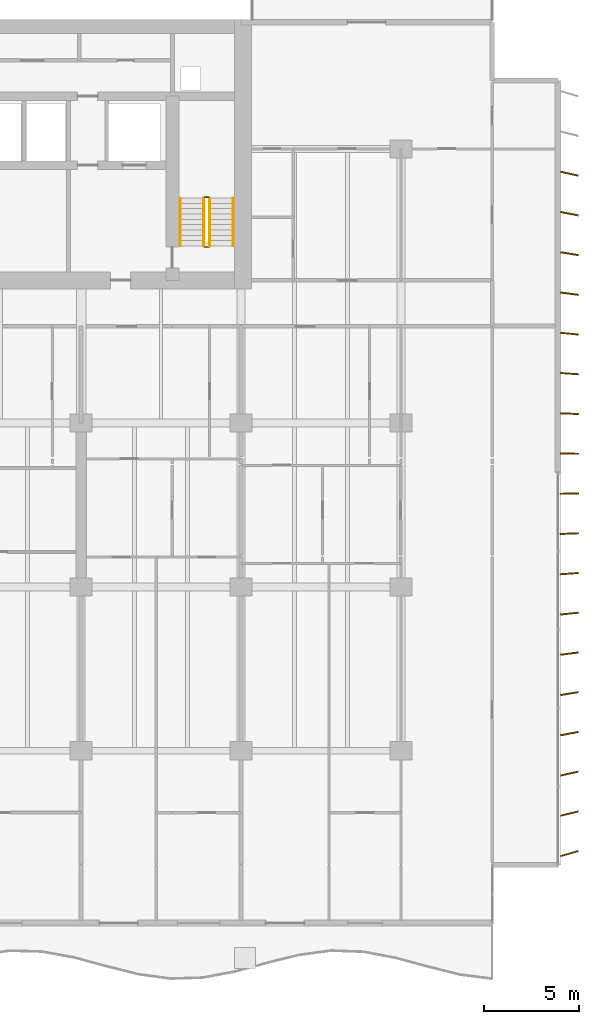
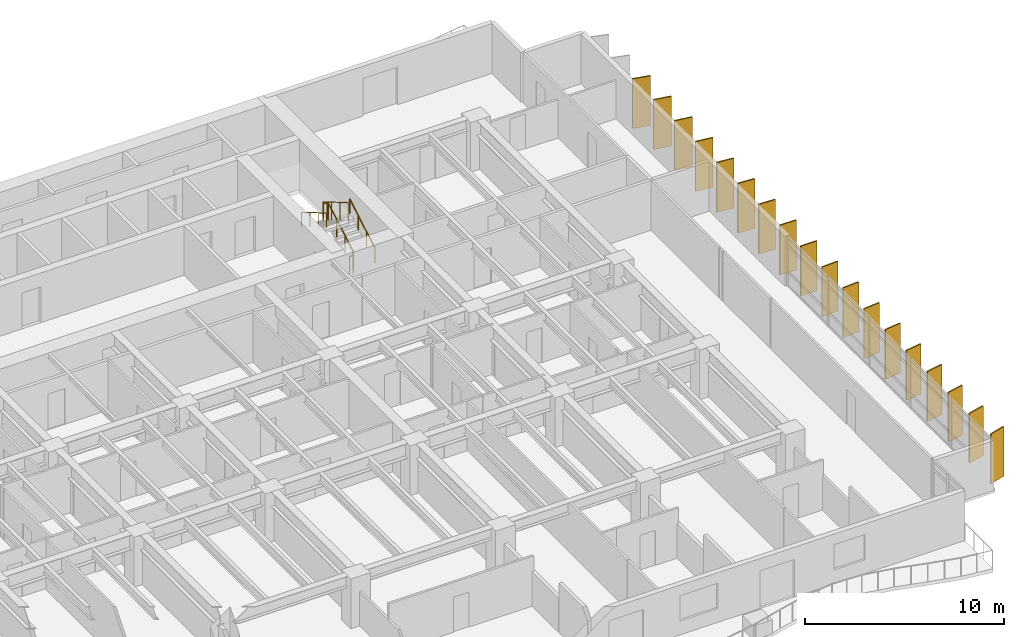
# One storey, part 17 of 18: 18 shading devices, 6 railings.
"""IFC4 building model written with IfcOpenShell, lengths in metres."""

from ifc_helpers import new_model, si_unit, direction, frame, origin, origin_2d, place, context, subcontext, project, spatial, rectangle, circle, extrude, material, material_profile, profile_set, type_object, element, save


model = new_model("IFC4")

# Units and contexts
model_context = context("Model", 3, precision=1e-05, world=origin(), true_north=direction((0.0, 1.0)))
body_context = subcontext(model_context, "Body", "Model", "MODEL_VIEW")
ifc_project = project(units=[si_unit("LENGTHUNIT", "METRE"), si_unit("AREAUNIT", "SQUARE_METRE"), si_unit("VOLUMEUNIT", "CUBIC_METRE"), si_unit("PLANEANGLEUNIT", "RADIAN"), si_unit("MASSUNIT", "GRAM", prefix="KILO")], contexts=[model_context])

# Site, building, storey
site_placement = place(None, origin())
site = spatial("IfcSite", under=ifc_project, at=site_placement, CompositionType="ELEMENT")
building_placement = place(site_placement, origin())
building = spatial("IfcBuilding", under=site, at=building_placement, Name="Caelmar Bay Residences", CompositionType="ELEMENT")
storey_placement = place(building_placement, frame((0.0, 0.0, 36.60009765625)))
storey = spatial("IfcBuildingStorey", under=building, at=storey_placement, Name="L08", CompositionType="ELEMENT", Elevation=36.60009765625)

# Railings
ifc_material_1 = material(Name="Painted galvanized steel stair guard 1100 mm", Category="steel")
railing_type_1 = type_object("IfcRailingType", Name="RL-GRD-1100", PredefinedType="GUARDRAIL", material=ifc_material_1)
railing_1_placement = place(storey_placement, frame((57.85009765625, 38.699951171875, 0.164794921875)))
element("IfcRailing", 1, at=railing_1_placement, inside=storey, type_object=railing_type_1, Name="L08 ST2 stair guard 1", PredefinedType="GUARDRAIL", context=body_context, shape_type="SweptSolid", body=[
    extrude(circle(Radius=0.02392578125, at=origin_2d()), frame((0.0, 0.0, 1.076171875), z_axis=(0.0, 0.86152411907, 0.507716645641), x_axis=(-1.0, 0.0, 0.0)), (0.0, 0.0, 1.0), 2.925048828125),
    extrude(circle(Radius=0.02099609375, at=origin_2d()), origin(), (0.0, 0.0, 1.0), 1.052001953125),
    extrude(circle(Radius=0.02099609375, at=origin_2d()), frame((0.0, 0.840087890625, 0.4951171875)), (0.0, 0.0, 1.0), 1.052001953125),
    extrude(circle(Radius=0.02099609375, at=origin_2d()), frame((0.0, 1.679931640625, 0.989990234375)), (0.0, 0.0, 1.0), 1.052001953125),
    extrude(circle(Radius=0.02099609375, at=origin_2d()), frame((0.0, 2.52001953125, 1.485107421875)), (0.0, 0.0, 1.0), 1.052001953125),
])
railing_2_placement = place(storey_placement, frame((57.800048828125, 41.27001953125, 1.64990234375)))
element("IfcRailing", 2, at=railing_2_placement, inside=storey, type_object=railing_type_1, Name="L08 ST2 stair guard 2", PredefinedType="GUARDRAIL", context=body_context, shape_type="SweptSolid", body=[
    extrude(circle(Radius=0.02392578125, at=origin_2d()), frame((0.0, 0.0, 1.076171875), z_axis=(-1.0, 0.0, 0.0), x_axis=(0.0, -1.0, 0.0)), (0.0, 0.0, 1.0), 0.199951171875),
    extrude(circle(Radius=0.02099609375, at=origin_2d()), origin(), (0.0, 0.0, 1.0), 1.052001953125),
    extrude(circle(Radius=0.02099609375, at=origin_2d()), frame((-0.199951171875, 0.0, 0.0)), (0.0, 0.0, 1.0), 1.052001953125),
])
railing_3_placement = place(storey_placement, frame((57.550048828125, 41.219970703125, 1.81494140625)))
element("IfcRailing", 3, at=railing_3_placement, inside=storey, type_object=railing_type_1, Name="L08 ST2 stair guard 3", PredefinedType="GUARDRAIL", context=body_context, shape_type="SweptSolid", body=[
    extrude(circle(Radius=0.02392578125, at=origin_2d()), frame((0.0, 0.0, 1.076171875), z_axis=(0.0, -0.861560626758, 0.507654692109), x_axis=(1.0, 0.0, 0.0)), (0.0, 0.0, 1.0), 2.925048828125),
    extrude(circle(Radius=0.02099609375, at=origin_2d()), origin(), (0.0, 0.0, 1.0), 1.052001953125),
    extrude(circle(Radius=0.02099609375, at=origin_2d()), frame((0.0, -0.840087890625, 0.494873046875)), (0.0, 0.0, 1.0), 1.052001953125),
    extrude(circle(Radius=0.02099609375, at=origin_2d()), frame((0.0, -1.679931640625, 0.989990234375)), (0.0, 0.0, 1.0), 1.052001953125),
    extrude(circle(Radius=0.02099609375, at=origin_2d()), frame((0.0, -2.52001953125, 1.48486328125)), (0.0, 0.0, 1.0), 1.052001953125),
])
railing_4_placement = place(storey_placement, frame((57.800048828125, 38.64990234375, 0.0)))
element("IfcRailing", 4, at=railing_4_placement, inside=storey, type_object=railing_type_1, Name="L08 ST2 stair guard 4", PredefinedType="GUARDRAIL", context=body_context, shape_type="SweptSolid", body=[
    extrude(circle(Radius=0.02392578125, at=origin_2d()), frame((0.0, 0.0, 1.076171875), z_axis=(-1.0, 0.0, 0.0), x_axis=(0.0, -1.0, 0.0)), (0.0, 0.0, 1.0), 0.199951171875),
    extrude(circle(Radius=0.02099609375, at=origin_2d()), origin(), (0.0, 0.0, 1.0), 1.052001953125),
    extrude(circle(Radius=0.02099609375, at=origin_2d()), frame((-0.199951171875, 0.0, 0.0)), (0.0, 0.0, 1.0), 1.052001953125),
])
ifc_material_2 = material(Name="Brushed bronze stainless-steel tubular handrail 900 mm", Category="steel")
railing_type_2 = type_object("IfcRailingType", Name="RL-HND-900", PredefinedType="HANDRAIL", material=ifc_material_2)
railing_5_placement = place(storey_placement, frame((59.10009765625, 38.699951171875, 0.164794921875)))
element("IfcRailing", 5, at=railing_5_placement, inside=storey, type_object=railing_type_2, Name="L08 ST2 stair handrail 1", PredefinedType="HANDRAIL", context=body_context, shape_type="SweptSolid", body=[
    extrude(circle(Radius=0.02392578125, at=origin_2d()), frame((0.0, 0.0, 0.8759765625), z_axis=(0.0, 0.86152411907, 0.507716645641), x_axis=(-1.0, 0.0, 0.0)), (0.0, 0.0, 1.0), 2.925048828125),
    extrude(circle(Radius=0.02099609375, at=origin_2d()), origin(), (0.0, 0.0, 1.0), 0.851806640625),
    extrude(circle(Radius=0.02099609375, at=origin_2d()), frame((0.0, 0.840087890625, 0.4951171875)), (0.0, 0.0, 1.0), 0.851806640625),
    extrude(circle(Radius=0.02099609375, at=origin_2d()), frame((0.0, 1.679931640625, 0.989990234375)), (0.0, 0.0, 1.0), 0.851806640625),
    extrude(circle(Radius=0.02099609375, at=origin_2d()), frame((0.0, 2.52001953125, 1.485107421875)), (0.0, 0.0, 1.0), 0.851806640625),
])
railing_6_placement = place(storey_placement, frame((56.300048828125, 41.219970703125, 1.81494140625)))
element("IfcRailing", 6, at=railing_6_placement, inside=storey, type_object=railing_type_2, Name="L08 ST2 stair handrail 2", PredefinedType="HANDRAIL", context=body_context, shape_type="SweptSolid", body=[
    extrude(circle(Radius=0.02392578125, at=origin_2d()), frame((0.0, 0.0, 0.8759765625), z_axis=(0.0, -0.861560626758, 0.507654692109), x_axis=(1.0, 0.0, 0.0)), (0.0, 0.0, 1.0), 2.925048828125),
    extrude(circle(Radius=0.02099609375, at=origin_2d()), origin(), (0.0, 0.0, 1.0), 0.851806640625),
    extrude(circle(Radius=0.02099609375, at=origin_2d()), frame((0.0, -0.840087890625, 0.494873046875)), (0.0, 0.0, 1.0), 0.851806640625),
    extrude(circle(Radius=0.02099609375, at=origin_2d()), frame((0.0, -1.679931640625, 0.989990234375)), (0.0, 0.0, 1.0), 0.851806640625),
    extrude(circle(Radius=0.02099609375, at=origin_2d()), frame((0.0, -2.52001953125, 1.48486328125)), (0.0, 0.0, 1.0), 0.851806640625),
])

# Shading devices
ifc_material_3 = material(Name="Anodised architectural bronze aluminium 6063-T6", Category="aluminium")
ifc_material_profile = material_profile(ifc_material_3, rectangle(XDim=0.074951171875, YDim=0.949951171875, at=origin_2d()), Name="BRONZE-FIN-75X950")
ifc_profile_set = profile_set([ifc_material_profile], Name="Anodised architectural bronze aluminium 6063-T6")
shading_device_type = type_object("IfcShadingDeviceType", Name="SHD-FIN-950", PredefinedType="USERDEFINED", material=ifc_profile_set)
for number, where, z_axis, x_axis, name in (
    (7, (76.75, 6.800048828125, 0.0), (0.0, 0.0, 1.0), (-0.275637355817, 0.961261695938, 0.0), "L08 East Bronze Solar Fin 1"),
    (8, (76.75, 8.89990234375, 0.0), (0.0, 0.0, 1.0), (-0.247337247968, 0.968929453452, 0.0), "L08 East Bronze Solar Fin 2"),
    (9, (76.75, 11.0, 0.0), (0.0, 0.0, 1.0), (-0.218654200292, 0.975802408633, 0.0), "L08 East Bronze Solar Fin 3"),
    (10, (76.75, 13.10009765625, 0.0), (0.0, 0.0, 1.0), (-0.189952291512, 0.981793321911, 0.0), "L08 East Bronze Solar Fin 4"),
    (11, (76.75, 15.199951171875, 0.0), (0.0, 0.0, 1.0), (-0.160914826518, 0.986968296657, 0.0), "L08 East Bronze Solar Fin 5"),
    (12, (76.75, 17.300048828125, 0.0), (0.0, 0.0, 1.0), (-0.131910382711, 0.991261646052, 0.0), "L08 East Bronze Solar Fin 6"),
    (13, (76.75, 19.39990234375, 0.0), (0.0, 0.0, 1.0), (-0.10261892683, 0.994720742649, 0.0), "L08 East Bronze Solar Fin 7"),
    (14, (76.75, 21.5, 0.0), (0.0, 0.0, 1.0), (-0.073412260224, 0.997301679558, 0.0), "L08 East Bronze Solar Fin 8"),
    (15, (76.75, 23.60009765625, 0.0), (0.0, 0.0, 1.0), (-0.044142481788, 0.999025245578, 0.0), "L08 East Bronze Solar Fin 9"),
    (16, (76.75, 25.699951171875, 0.0), (0.0, 0.0, 1.0), (-0.01466024053, 0.999892532899, 0.0), "L08 East Bronze Solar Fin 10"),
    (17, (76.75, 27.800048828125, 0.0), (0.0, 0.0, 1.0), (0.01466024053, 0.999892532899, 0.0), "L08 East Bronze Solar Fin 11"),
    (18, (76.75, 29.89990234375, 0.0), (0.0, 0.0, 1.0), (0.044142481788, 0.999025245578, 0.0), "L08 East Bronze Solar Fin 12"),
    (19, (76.75, 32.0, 0.0), (0.0, 0.0, 1.0), (0.073412260224, 0.997301679558, 0.0), "L08 East Bronze Solar Fin 13"),
    (20, (76.75, 34.10009765625, 0.0), (0.0, 0.0, 1.0), (0.10261892683, 0.994720742649, 0.0), "L08 East Bronze Solar Fin 14"),
    (21, (76.75, 36.199951171875, 0.0), (0.0, 0.0, 1.0), (0.131910382711, 0.991261646052, 0.0), "L08 East Bronze Solar Fin 15"),
    (22, (76.75, 38.300048828125, 0.0), (0.0, 0.0, 1.0), (0.160914826518, 0.986968296657, 0.0), "L08 East Bronze Solar Fin 16"),
    (23, (76.75, 40.39990234375, 0.0), (0.0, 0.0, 1.0), (0.189952291512, 0.981793321911, 0.0), "L08 East Bronze Solar Fin 17"),
    (24, (76.75, 42.5, 0.0), (0.0, 0.0, 1.0), (0.218654200292, 0.975802408633, 0.0), "L08 East Bronze Solar Fin 18"),
):
    element("IfcShadingDevice", number, at=place(storey_placement, frame(where, z_axis=z_axis, x_axis=x_axis)), inside=storey, type_object=shading_device_type, Name=name, ObjectType="FIN", PredefinedType="USERDEFINED", context=body_context, shape_type="SweptSolid", body=[
        extrude(rectangle(XDim=0.074951171875, YDim=0.949951171875, at=origin_2d()), origin(), (0.0, 0.0, 1.0), 3.0498046875),
    ])

save(model, "model.ifc")
